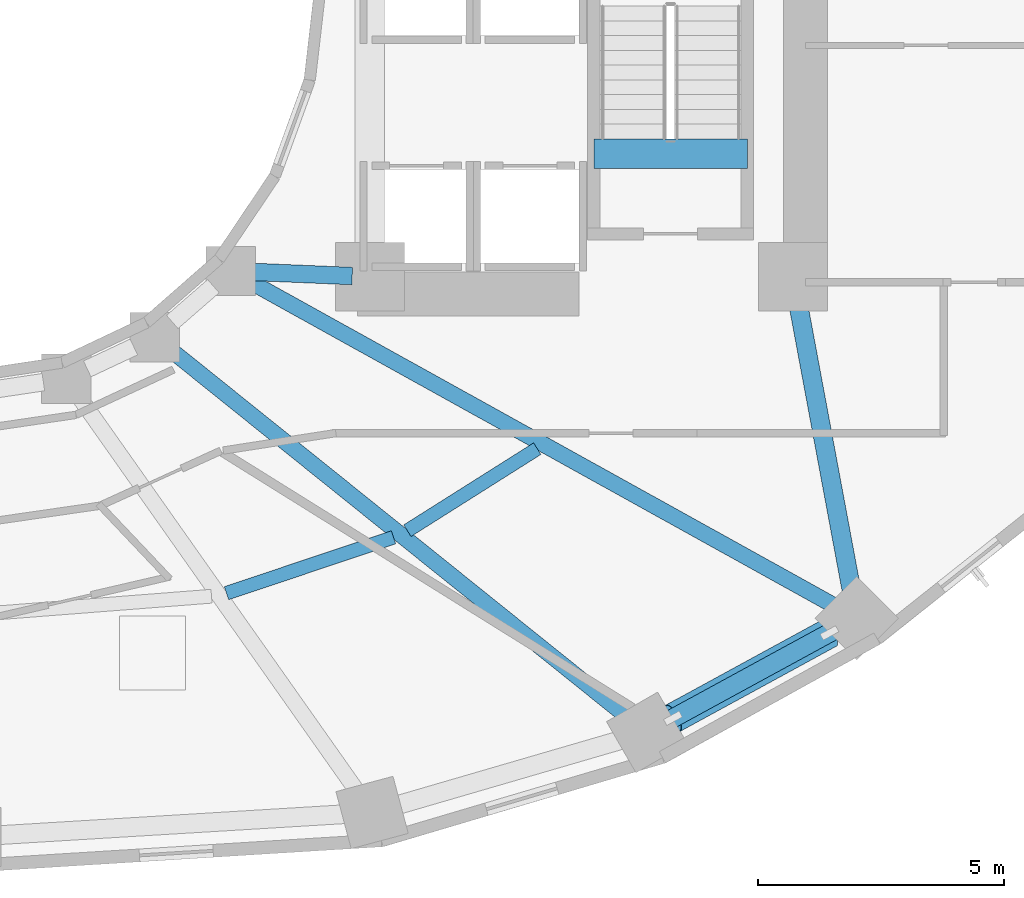
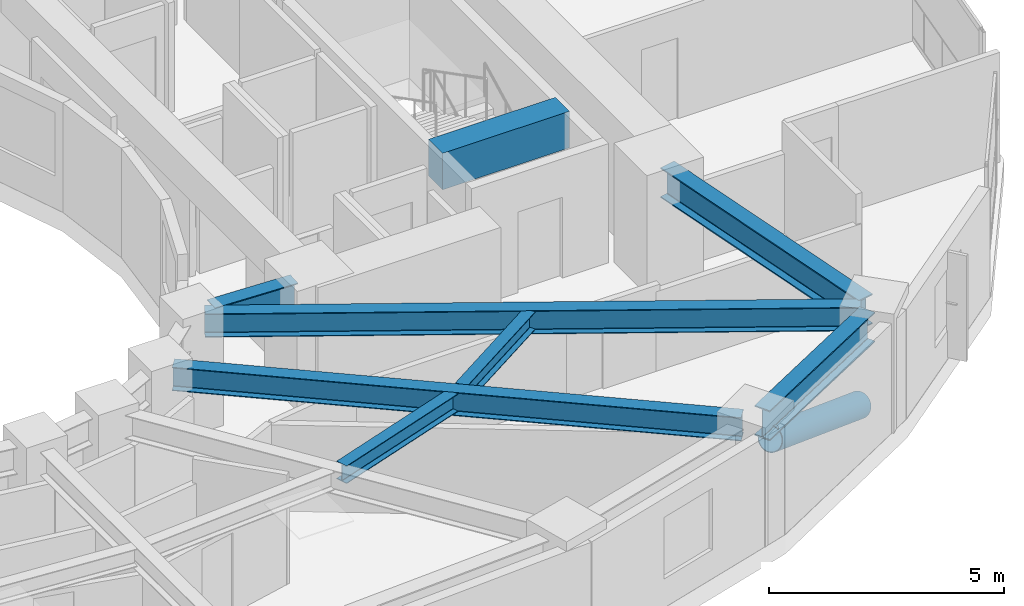
# One storey, part 2 of 14: 8 beams, 1 member.
"""IFC4 building model written with IfcOpenShell, lengths in metres."""

from ifc_helpers import new_model, si_unit, direction, frame, origin, origin_2d, place, context, subcontext, project, spatial, rectangle, hollow_circle, i_section, extrude, material, material_profile, profile_set, type_object, element, save


model = new_model("IFC4")

# Units and contexts
model_context = context("Model", 3, precision=1e-05, world=origin(), true_north=direction((0.0, 1.0)))
body_context = subcontext(model_context, "Body", "Model", "MODEL_VIEW")
ifc_project = project(units=[si_unit("LENGTHUNIT", "METRE"), si_unit("AREAUNIT", "SQUARE_METRE"), si_unit("VOLUMEUNIT", "CUBIC_METRE"), si_unit("PLANEANGLEUNIT", "RADIAN"), si_unit("MASSUNIT", "GRAM", prefix="KILO")], contexts=[model_context])

# Site, building, storey
site_placement = place(None, origin())
site = spatial("IfcSite", under=ifc_project, at=site_placement, CompositionType="ELEMENT")
building_placement = place(site_placement, origin())
building = spatial("IfcBuilding", under=site, at=building_placement, Name="Solvane Sanctuary Tower", CompositionType="ELEMENT")
storey_placement = place(building_placement, frame((0.0, 0.0, 36.89990234375)))
storey = spatial("IfcBuildingStorey", under=building, at=storey_placement, Name="L10", CompositionType="ELEMENT", Elevation=36.89990234375)

# Beams
ifc_material_1 = material(Name="Concrete C70/85", Category="concrete")
ifc_material_profile_1 = material_profile(ifc_material_1, rectangle(XDim=0.60009765625, YDim=0.949951171875, at=origin_2d()), Name="RC600X950")
ifc_profile_set_1 = profile_set([ifc_material_profile_1], Name="Concrete C70/85")
beam_type_1 = type_object("IfcBeamType", Name="Beam B-COUPLE RC600X950", PredefinedType="LINTEL", material=ifc_profile_set_1)
beam_1_placement = place(storey_placement, frame((44.64990234375, 19.399169921875, 2.625), z_axis=(1.0, 0.0, 0.0), x_axis=(0.0, 1.0, 0.0)))
element("IfcBeam", 1, at=beam_1_placement, inside=storey, type_object=beam_type_1, Name="L10 ST-2 Stair Floor Landing Trimmer", PredefinedType="LINTEL", context=body_context, shape_type="SweptSolid", body=[
    extrude(rectangle(XDim=0.60009765625, YDim=0.949951171875, at=origin_2d()), origin(), (0.0, 0.0, 1.0), 3.1201171875),
])
ifc_material_2 = material(Name="Steel ASTM A992 Grade 50", Category="steel")
ifc_material_profile_2 = material_profile(ifc_material_2, i_section(OverallWidth=0.323974609375, OverallDepth=0.611083984375, WebThickness=0.0126953125, FlangeThickness=0.01904296875, FilletRadius=0.01611328125, at=origin_2d()), Name="W24X104")
ifc_profile_set_2 = profile_set([ifc_material_profile_2], Name="Steel ASTM A992 Grade 50")
beam_type_2 = type_object("IfcBeamType", Name="Beam B-RAD-Z1 W24X104", PredefinedType="BEAM", material=ifc_profile_set_2)
beam_2_placement = place(storey_placement, frame((35.9482421875, 15.498046875, 2.572509765625), z_axis=(0.779526985436, -0.626368644631, 0.0), x_axis=(0.626368644631, 0.779526985436, 0.0)))
element("IfcBeam", 2, at=beam_2_placement, inside=storey, type_object=beam_type_2, Name="L10 Radial Composite Floor Beam 13", PredefinedType="BEAM", context=body_context, shape_type="SweptSolid", body=[
    extrude(i_section(OverallWidth=0.323974609375, OverallDepth=0.611083984375, WebThickness=0.0126953125, FlangeThickness=0.01904296875, FilletRadius=0.01611328125, at=origin_2d()), origin(), (0.0, 0.0, 1.0), 12.2646484375),
])
beam_3_placement = place(storey_placement, frame((37.52001953125, 16.882080078125, 2.572509765625), z_axis=(0.87449641157, -0.485031984668, 0.0), x_axis=(0.485031984668, 0.87449641157, 0.0)))
element("IfcBeam", 3, at=beam_3_placement, inside=storey, type_object=beam_type_2, Name="L10 Radial Composite Floor Beam 14", PredefinedType="BEAM", context=body_context, shape_type="SweptSolid", body=[
    extrude(i_section(OverallWidth=0.323974609375, OverallDepth=0.611083984375, WebThickness=0.0126953125, FlangeThickness=0.01904296875, FilletRadius=0.01611328125, at=origin_2d()), origin(), (0.0, 0.0, 1.0), 13.9814453125),
])
ifc_material_profile_3 = material_profile(ifc_material_2, i_section(OverallWidth=0.35498046875, OverallDepth=0.695068359375, WebThickness=0.015380859375, FlangeThickness=0.02490234375, FilletRadius=0.01806640625, at=origin_2d()), Name="W27X146")
ifc_profile_set_3 = profile_set([ifc_material_profile_3], Name="Steel ASTM A992 Grade 50")
beam_type_3 = type_object("IfcBeamType", Name="Beam B-RING-IN1 W27X146", PredefinedType="BEAM", material=ifc_profile_set_3)
beam_4_placement = place(storey_placement, frame((37.74462890625, 16.998291015625, 2.530517578125), z_axis=(0.999130953379, -0.041681386726, 0.0), x_axis=(0.041681386726, 0.999130953379, 0.0)))
element("IfcBeam", 4, at=beam_4_placement, inside=storey, type_object=beam_type_3, Name="L10 Inner Light-Well Ring Beam IC14-CE1", PredefinedType="BEAM", context=body_context, shape_type="SweptSolid", body=[
    extrude(i_section(OverallWidth=0.35498046875, OverallDepth=0.695068359375, WebThickness=0.015380859375, FlangeThickness=0.02490234375, FilletRadius=0.01806640625, at=origin_2d()), origin(), (0.0, 0.0, 1.0), 1.997314453125),
])
ifc_material_profile_4 = material_profile(ifc_material_2, i_section(OverallWidth=0.280029296875, OverallDepth=0.462890625, WebThickness=0.0107421875, FlangeThickness=0.017333984375, FilletRadius=0.013916015625, at=origin_2d()), Name="W18X76")
ifc_profile_set_4 = profile_set([ifc_material_profile_4], Name="Steel ASTM A992 Grade 50")
beam_type_4 = type_object("IfcBeamType", Name="Beam B-SEC-JOIST W18X76", PredefinedType="JOIST", material=ifc_profile_set_4)
beam_5_placement = place(storey_placement, frame((37.186767578125, 10.47119140625, 2.646484375), z_axis=(0.948259393162, 0.317496650816, 0.0), x_axis=(-0.317496650816, 0.948259393162, 0.0)))
element("IfcBeam", 5, at=beam_5_placement, inside=storey, type_object=beam_type_4, Name="L10 Secondary Circumferential Joist 12-13", PredefinedType="JOIST", context=body_context, shape_type="SweptSolid", body=[
    extrude(i_section(OverallWidth=0.280029296875, OverallDepth=0.462890625, WebThickness=0.0107421875, FlangeThickness=0.017333984375, FilletRadius=0.013916015625, at=origin_2d()), origin(), (0.0, 0.0, 1.0), 3.577880859375),
])
beam_6_placement = place(storey_placement, frame((40.861328125, 11.74072265625, 2.646484375), z_axis=(0.845524211665, 0.533937081957, 0.0), x_axis=(-0.533937081957, 0.845524211665, 0.0)))
element("IfcBeam", 6, at=beam_6_placement, inside=storey, type_object=beam_type_4, Name="L10 Secondary Circumferential Joist 13-14", PredefinedType="JOIST", context=body_context, shape_type="SweptSolid", body=[
    extrude(i_section(OverallWidth=0.280029296875, OverallDepth=0.462890625, WebThickness=0.0107421875, FlangeThickness=0.017333984375, FilletRadius=0.013916015625, at=origin_2d()), origin(), (0.0, 0.0, 1.0), 3.12158203125),
])
ifc_material_profile_5 = material_profile(ifc_material_2, i_section(OverallWidth=0.382080078125, OverallDepth=0.779052734375, WebThickness=0.01806640625, FlangeThickness=0.030029296875, FilletRadius=0.02001953125, at=origin_2d()), Name="W30X191")
ifc_profile_set_5 = profile_set([ifc_material_profile_5], Name="Steel ASTM A992 Grade 50")
beam_type_5 = type_object("IfcBeamType", Name="Beam B-SPAND-Z1 W30X191", PredefinedType="SPANDREL", material=ifc_profile_set_5)
beam_7_placement = place(storey_placement, frame((45.97314453125, 7.774658203125, 2.488525390625), z_axis=(0.878060556078, 0.478549537519, 0.0), x_axis=(-0.478549537519, 0.878060556078, 0.0)))
element("IfcBeam", 7, at=beam_7_placement, inside=storey, type_object=beam_type_5, Name="L10 Perimeter Spandrel Beam TC13-TC14", PredefinedType="SPANDREL", context=body_context, shape_type="SweptSolid", body=[
    extrude(i_section(OverallWidth=0.382080078125, OverallDepth=0.779052734375, WebThickness=0.01806640625, FlangeThickness=0.030029296875, FilletRadius=0.02001953125, at=origin_2d()), origin(), (0.0, 0.0, 1.0), 4.296630859375),
])
beam_8_placement = place(storey_placement, frame((49.9404296875, 10.239990234375, 2.488525390625), z_axis=(-0.183108171104, 0.983092771652, 0.0), x_axis=(-0.983092771652, -0.183108171104, 0.0)))
element("IfcBeam", 8, at=beam_8_placement, inside=storey, type_object=beam_type_5, Name="L10 Perimeter Spandrel Beam TC14-CE2", PredefinedType="SPANDREL", context=body_context, shape_type="SweptSolid", body=[
    extrude(i_section(OverallWidth=0.382080078125, OverallDepth=0.779052734375, WebThickness=0.01806640625, FlangeThickness=0.030029296875, FilletRadius=0.02001953125, at=origin_2d()), origin(), (0.0, 0.0, 1.0), 6.49462890625),
])

# Member
ifc_material_profile_6 = material_profile(ifc_material_2, hollow_circle(Radius=0.304931640625, WallThickness=0.01611328125, at=origin_2d()), Name="CHS610X16")
ifc_profile_set_6 = profile_set([ifc_material_profile_6], Name="Steel ASTM A992 Grade 50")
member_type = type_object("IfcMemberType", Name="Member M-TUBE-Z1 CHS610X16", PredefinedType="BRACE", material=ifc_profile_set_6)
member_placement = place(storey_placement, frame((49.43408203125, 9.660888671875, 0.604736328125), z_axis=(-0.827739985201, -0.451112238875, 0.333682880648), x_axis=(0.478539548862, -0.878065999897, 0.0)))
element("IfcMember", 9, at=member_placement, inside=storey, type_object=member_type, Name="L10 Perimeter Braced-Tube Diagonal SE", PredefinedType="BRACE", context=body_context, shape_type="SweptSolid", body=[
    extrude(hollow_circle(Radius=0.304931640625, WallThickness=0.01611328125, at=origin_2d()), origin(), (0.0, 0.0, 1.0), 3.831787109375),
])

save(model, "model.ifc")
